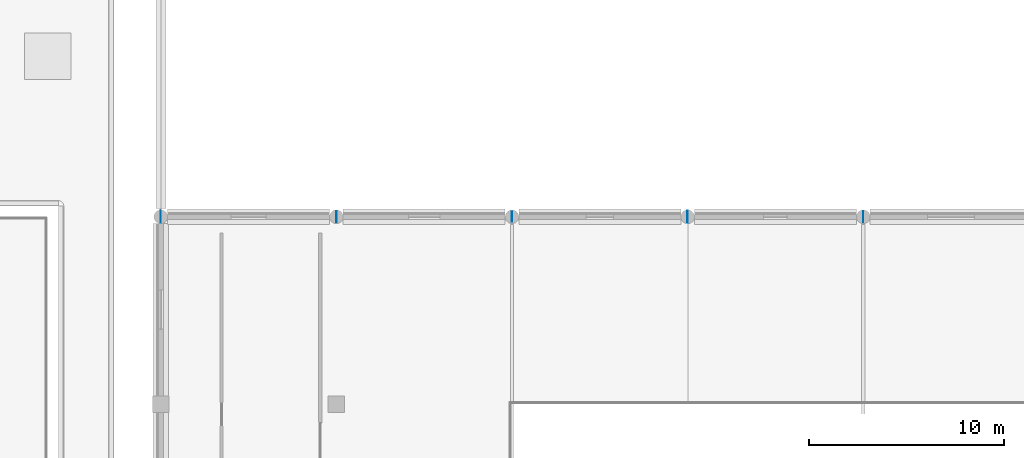
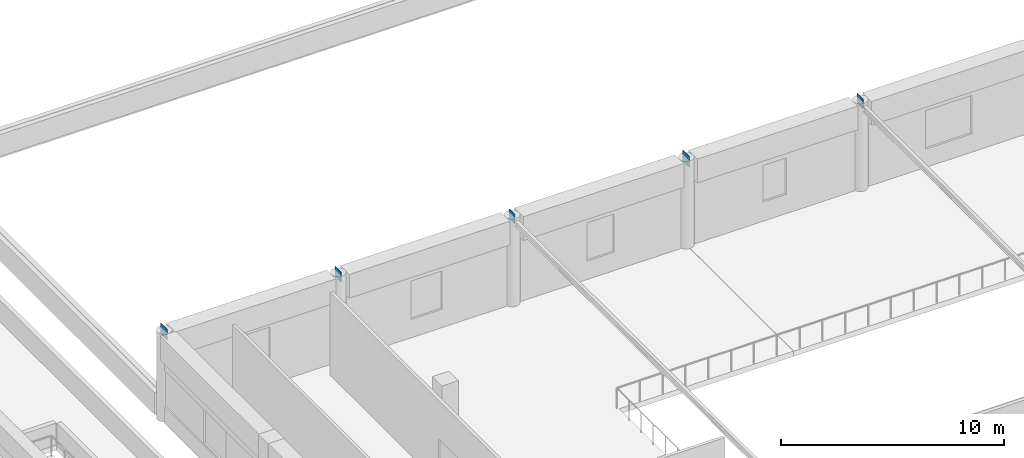
# One storey, part 38 of 67: 5 plates.
"""IFC4 building model written with IfcOpenShell, lengths in metres."""

from ifc_helpers import new_model, si_unit, direction, frame, origin, origin_2d, place, context, subcontext, project, spatial, rectangle, extrude, material, layer, layer_set, type_object, element, save


model = new_model("IFC4")

# Units and contexts
model_context = context("Model", 3, precision=1e-05, world=origin(), true_north=direction((0.0, 1.0)))
body_context = subcontext(model_context, "Body", "Model", "MODEL_VIEW")
ifc_project = project(units=[si_unit("LENGTHUNIT", "METRE"), si_unit("AREAUNIT", "SQUARE_METRE"), si_unit("VOLUMEUNIT", "CUBIC_METRE"), si_unit("PLANEANGLEUNIT", "RADIAN"), si_unit("MASSUNIT", "GRAM", prefix="KILO")], contexts=[model_context])

# Site, building, storey
site_placement = place(None, origin())
site = spatial("IfcSite", under=ifc_project, at=site_placement, CompositionType="ELEMENT")
building_placement = place(site_placement, origin())
building = spatial("IfcBuilding", under=site, at=building_placement, Name="Cendralis Terraced Arcade", CompositionType="ELEMENT")
storey_placement = place(building_placement, frame((0.0, 0.0, 15.0)))
storey = spatial("IfcBuildingStorey", under=building, at=storey_placement, Name="L03", CompositionType="ELEMENT", Elevation=15.0)

# Plates
ifc_material = material(Name="Steel ASTM A572 Grade 50", Category="steel")
ifc_layer_1 = layer(ifc_material, 0.01806640625, Name="PLT-GUS-500x500x18")
ifc_layer_set_1 = layer_set([ifc_layer_1], Name="Steel ASTM A572 Grade 50")
plate_type_1 = type_object("IfcPlateType", Name="PLT-GUS-500x500x18", PredefinedType="SHEET", material=ifc_layer_set_1)
plate_placement = place(storey_placement, frame((85.199951171875, 38.39990234375, 4.449951171875), z_axis=(0.0, 0.0, 1.0), x_axis=(0.0, 1.0, 0.0)))
element("IfcPlate", 1, at=plate_placement, inside=storey, type_object=plate_type_1, Name="Gourmet Food Hall Vault Springing Node Gusset Plate 03-N", PredefinedType="SHEET", context=body_context, shape_type="SweptSolid", body=[
    extrude(rectangle(XDim=0.5, YDim=0.01806640625, at=origin_2d()), origin(), (0.0, 0.0, 1.0), 0.5),
])
ifc_layer_2 = layer(ifc_material, 0.01806640625, Name="PLT-GUS-550x550x18")
ifc_layer_set_2 = layer_set([ifc_layer_2], Name="Steel ASTM A572 Grade 50")
plate_type_2 = type_object("IfcPlateType", Name="PLT-GUS-550x550x18", PredefinedType="SHEET", material=ifc_layer_set_2)
for number, where, z_axis, x_axis, name in (
    (2, (76.199951171875, 38.39990234375, 4.4248046875), (0.0, 0.0, 1.0), (0.0, 1.0, 0.0), "Gourmet Food Hall Vault Springing Node Gusset Plate 02-N"),
    (3, (103.199951171875, 38.39990234375, 4.4248046875), (0.0, 0.0, 1.0), (0.0, 1.0, 0.0), "Gourmet Food Hall Vault Springing Node Gusset Plate 05-N"),
):
    element("IfcPlate", number, at=place(storey_placement, frame(where, z_axis=z_axis, x_axis=x_axis)), inside=storey, type_object=plate_type_2, Name=name, PredefinedType="SHEET", context=body_context, shape_type="SweptSolid", body=[
        extrude(rectangle(XDim=0.550048828125, YDim=0.01806640625, at=origin_2d()), origin(), (0.0, 0.0, 1.0), 0.550048828125),
    ])
ifc_layer_3 = layer(ifc_material, 0.02001953125, Name="PLT-GUS-600x600x20")
ifc_layer_set_3 = layer_set([ifc_layer_3], Name="Steel ASTM A572 Grade 50")
plate_type_3 = type_object("IfcPlateType", Name="PLT-GUS-600x600x20", PredefinedType="SHEET", material=ifc_layer_set_3)
for number, where, z_axis, x_axis, name in (
    (4, (67.199951171875, 38.39990234375, 4.39990234375), (0.0, 0.0, 1.0), (0.0, 1.0, 0.0), "Gourmet Food Hall Vault Springing Node Gusset Plate 01-N"),
    (5, (94.199951171875, 38.39990234375, 4.39990234375), (0.0, 0.0, 1.0), (0.0, 1.0, 0.0), "Gourmet Food Hall Vault Springing Node Gusset Plate 04-N"),
):
    element("IfcPlate", number, at=place(storey_placement, frame(where, z_axis=z_axis, x_axis=x_axis)), inside=storey, type_object=plate_type_3, Name=name, PredefinedType="SHEET", context=body_context, shape_type="SweptSolid", body=[
        extrude(rectangle(XDim=0.60009765625, YDim=0.02001953125, at=origin_2d()), origin(), (0.0, 0.0, 1.0), 0.60009765625),
    ])

save(model, "model.ifc")
